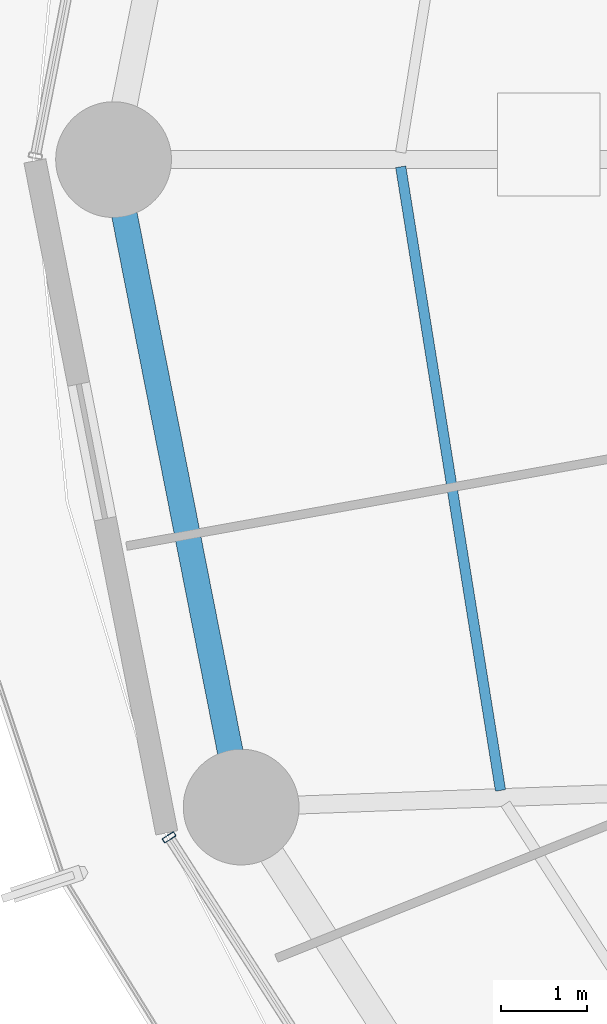
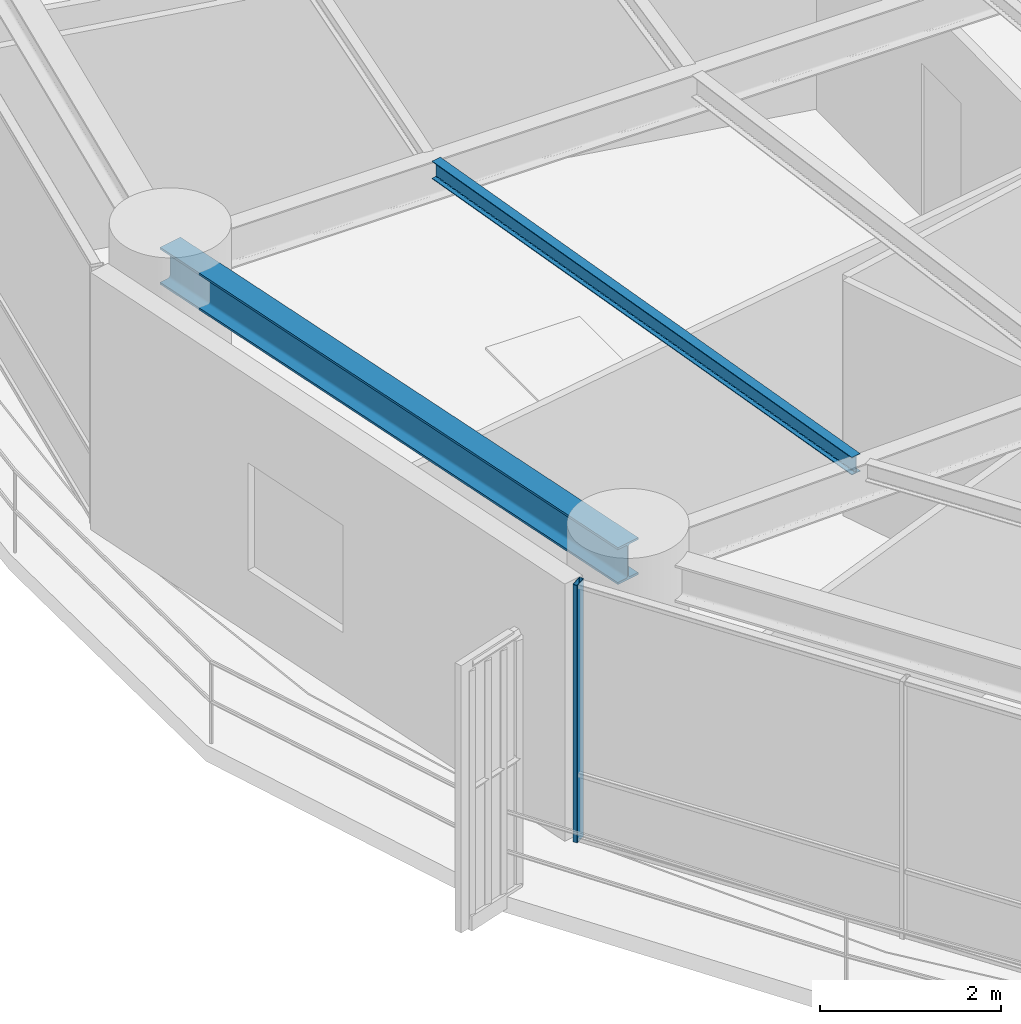
# One storey, part 6 of 35: 2 beams, 1 member, 1 element without a shape of its own.
"""IFC4 building model written with IfcOpenShell, lengths in metres."""

from ifc_helpers import new_model, si_unit, direction, frame, origin, origin_2d, place, context, subcontext, project, spatial, hollow_rectangle, i_section, extrude, material, layer, layer_set, material_profile, profile_set, type_object, element, aggregate, save


model = new_model("IFC4")

# Units and contexts
model_context = context("Model", 3, precision=1e-05, world=origin(), true_north=direction((0.0, 1.0)))
body_context = subcontext(model_context, "Body", "Model", "MODEL_VIEW")
ifc_project = project(units=[si_unit("LENGTHUNIT", "METRE"), si_unit("AREAUNIT", "SQUARE_METRE"), si_unit("VOLUMEUNIT", "CUBIC_METRE"), si_unit("PLANEANGLEUNIT", "RADIAN"), si_unit("MASSUNIT", "GRAM", prefix="KILO")], contexts=[model_context])

# Site, building, storey
site_placement = place(None, origin())
site = spatial("IfcSite", under=ifc_project, at=site_placement, CompositionType="ELEMENT")
building_placement = place(site_placement, origin())
building = spatial("IfcBuilding", under=site, at=building_placement, Name="Kelanora Arch Commons", CompositionType="ELEMENT")
storey_placement = place(building_placement, frame((0.0, 0.0, 121.35009765625)))
storey = spatial("IfcBuildingStorey", under=building, at=storey_placement, Name="L31", CompositionType="ELEMENT", Elevation=121.35009765625)

# Beams
ifc_material_1 = material(Name="Steel S355", Category="steel")
ifc_material_profile_1 = material_profile(ifc_material_1, i_section(OverallWidth=0.1201171875, OverallDepth=0.239990234375, WebThickness=0.006103515625, FlangeThickness=0.009765625, FilletRadius=0.014892578125, at=origin_2d()), Name="IPE240")
ifc_profile_set_1 = profile_set([ifc_material_profile_1], Name="Steel S355")
beam_type_1 = type_object("IfcBeamType", Name="BM-JST-02", PredefinedType="JOIST", material=ifc_profile_set_1)
beam_1_placement = place(storey_placement, frame((52.66943359375, 57.916015625, 3.369873046875), z_axis=(0.157999549894, -0.987439184068, 0.0), x_axis=(0.987439184068, 0.157999549894, 0.0)))
element("IfcBeam", 1, at=beam_1_placement, inside=storey, type_object=beam_type_1, Name="Secondary Chord Joist BJC-18 L31", PredefinedType="JOIST", context=body_context, shape_type="SweptSolid", body=[
    extrude(i_section(OverallWidth=0.1201171875, OverallDepth=0.239990234375, WebThickness=0.006103515625, FlangeThickness=0.009765625, FilletRadius=0.014892578125, at=origin_2d()), origin(), (0.0, 0.0, 1.0), 7.365966796875),
])
ifc_material_profile_2 = material_profile(ifc_material_1, i_section(OverallWidth=0.300048828125, OverallDepth=0.5, WebThickness=0.014404296875, FlangeThickness=0.028076171875, FilletRadius=0.027099609375, at=origin_2d()), Name="HEB500")
ifc_profile_set_2 = profile_set([ifc_material_profile_2], Name="Steel S355")
beam_type_2 = type_object("IfcBeamType", Name="BM-SPN-Z2", PredefinedType="SPANDREL", material=ifc_profile_set_2)
beam_2_placement = place(storey_placement, frame((49.320068359375, 58.0, 3.239990234375), z_axis=(0.19335825777, -0.981128220037, 0.0), x_axis=(0.981128220037, 0.19335825777, 0.0)))
element("IfcBeam", 2, at=beam_2_placement, inside=storey, type_object=beam_type_2, Name="Perimeter Spandrel Beam BS-18 L31", PredefinedType="SPANDREL", context=body_context, shape_type="SweptSolid", body=[
    extrude(i_section(OverallWidth=0.300048828125, OverallDepth=0.5, WebThickness=0.014404296875, FlangeThickness=0.028076171875, FilletRadius=0.027099609375, at=origin_2d()), origin(), (0.0, 0.0, 1.0), 7.697021484375),
])

# Curtain wall, member
ifc_material_2 = material(Name="Terracotta ceramic-fritted low-E glass and aluminium", Category="masonry")
ifc_layer = layer(ifc_material_2, 0.159912109375)
ifc_layer_set = layer_set([ifc_layer], Name="Terracotta ceramic-fritted low-E glass and aluminium")
curtain_wall_type = type_object("IfcCurtainWallType", Name="CW-SYS-01", PredefinedType="NOTDEFINED", material=ifc_layer_set)
curtain_wall_placement = place(storey_placement, origin())
curtain_wall = element("IfcCurtainWall", 3, at=curtain_wall_placement, inside=storey, type_object=curtain_wall_type, Name="Unitised Curtain Wall L31-B10", PredefinedType="NOTDEFINED")
ifc_material_3 = material(Name="Powder-coated aluminium terracotta", Category="masonry")
ifc_material_profile_3 = material_profile(ifc_material_3, hollow_rectangle(XDim=0.159912109375, YDim=0.06005859375, WallThickness=0.0048828125, InnerFilletRadius=0.0048828125, OuterFilletRadius=0.010009765625, at=origin_2d()), Name="CWM160x60")
ifc_profile_set_3 = profile_set([ifc_material_profile_3], Name="Powder-coated aluminium terracotta")
member_type = type_object("IfcMemberType", Name="CWM-STD", PredefinedType="MULLION", material=ifc_profile_set_3)
member_placement = place(storey_placement, frame((49.96826171875, 50.095703125, 0.0), z_axis=(0.0, 0.0, 1.0), x_axis=(0.841268883088, 0.540616931244, 0.0)))
member = element("IfcMember", 4, at=member_placement, type_object=member_type, Name="CW-01 mullion 1", PredefinedType="MULLION", context=body_context, shape_type="SweptSolid", body=[
    extrude(hollow_rectangle(XDim=0.159912109375, YDim=0.06005859375, WallThickness=0.0048828125, InnerFilletRadius=0.0048828125, OuterFilletRadius=0.010009765625, at=origin_2d()), origin(), (0.0, 0.0, 1.0), 3.474853515625),
])
aggregate(curtain_wall, [member])

save(model, "model.ifc")
